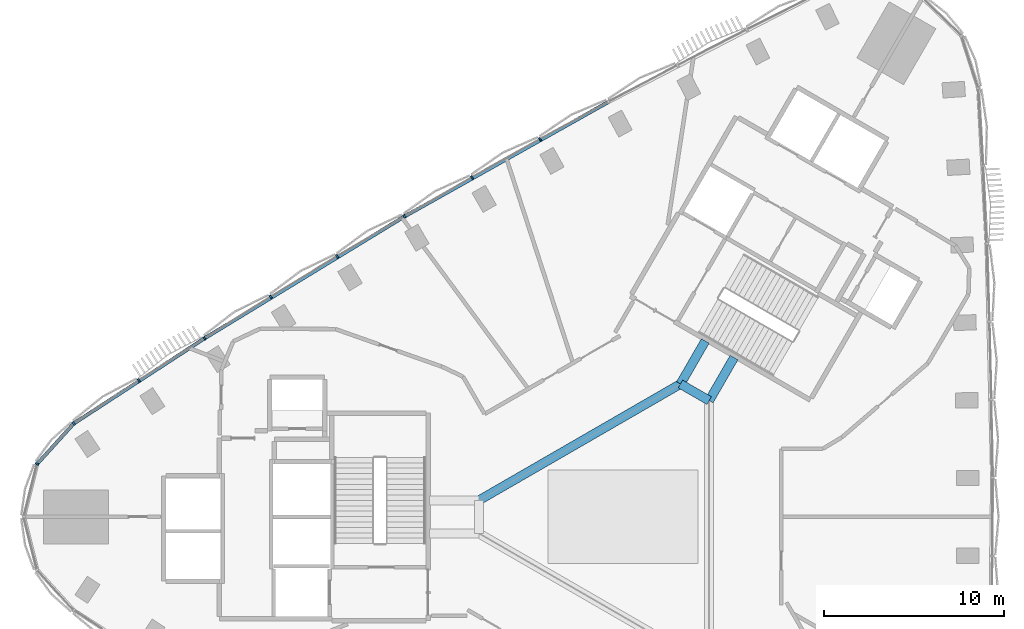
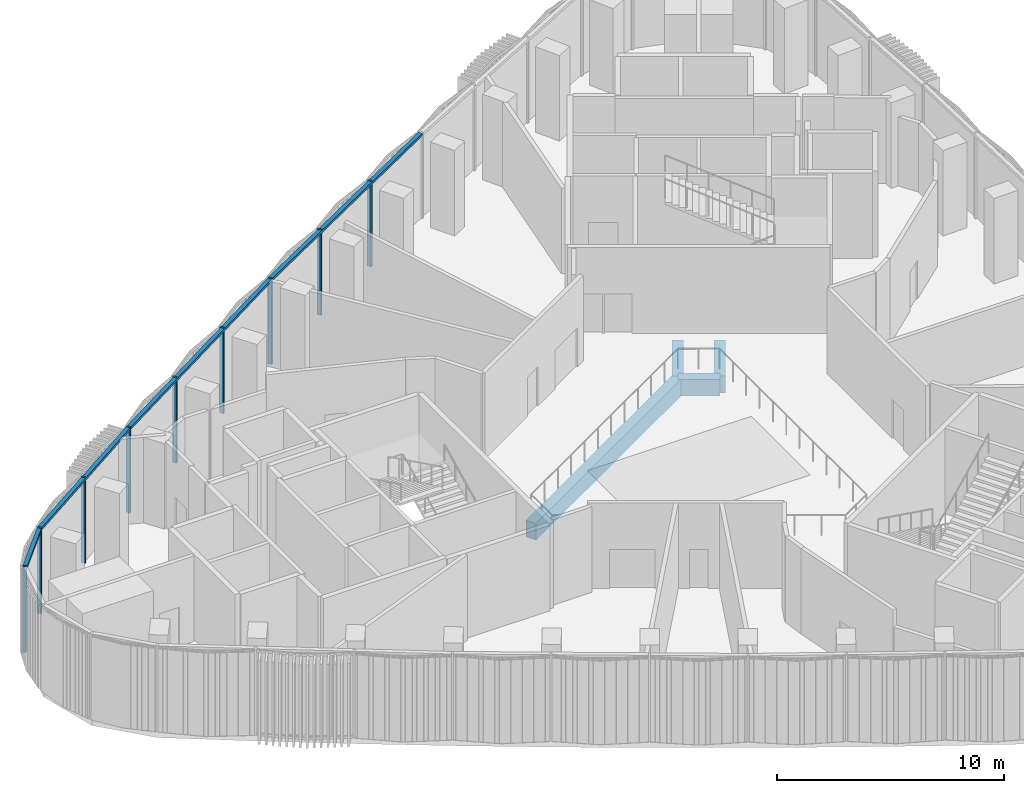
# One storey, part 4 of 17: 13 members, 4 beams, 1 element without a shape of its own.
"""IFC4 building model written with IfcOpenShell, lengths in metres."""

import ifcopenshell
import ifcopenshell.guid

model = None  # the IFC model being written
_history = None  # IfcOwnerHistory: only IFC2X3 demands one
_inside = {}  # id of a spatial element -> (the spatial element, [elements in it])
_under = {}  # id of a project, library or spatial element -> (it, [spatial elements below it])
_declared = {}  # id of a project -> (the project, [libraries it declares])
_typed = {}  # id of a type object -> (the type object, [elements of that type])
_made_of = {}  # id of a material, layer set ... -> (it, [elements and type objects made of it])


def new_model(schema):
    """Start an empty IFC model of exactly this schema.

    Asked for "IFC4X3", IfcOpenShell would pick the latest addendum, in which some entities
    have other attributes; the version numbers below select the first issue.
    IFC2X3 requires an IfcOwnerHistory on every rooted entity: one is made here for all.
    """
    global model, _history
    if schema == "IFC4X3":
        model = ifcopenshell.file(schema_version=(4, 3, 0, 0))
    else:
        model = ifcopenshell.file(schema=schema)
    _inside.clear()
    _under.clear()
    _declared.clear()
    _typed.clear()
    _made_of.clear()
    _history = None
    if model.schema == "IFC2X3":
        org = make("IfcOrganization", Name="unknown")
        user = make(
            "IfcPersonAndOrganization",
            ThePerson=make("IfcPerson", FamilyName="unknown"),
            TheOrganization=org,
        )
        app = make(
            "IfcApplication",
            ApplicationDeveloper=org,
            Version="unknown",
            ApplicationFullName="unknown",
            ApplicationIdentifier="unknown",
        )
        _history = make(
            "IfcOwnerHistory",
            OwningUser=user,
            OwningApplication=app,
            ChangeAction="ADDED",
            CreationDate=0,
        )
    return model


def make(cls, **values):
    """One entity of the class cls with the attributes given. An attribute that is None is left unset."""
    return model.create_entity(
        cls, **{name: value for name, value in values.items() if value is not None}
    )


def rooted(cls, **values):
    """An entity with a GlobalId (a new one), such as an element, a storey or a relation."""
    return make(cls, GlobalId=ifcopenshell.guid.new(), OwnerHistory=_history, **values)


def si_unit(unit_type, name, prefix=None):
    """IfcSIUnit, for example si_unit("LENGTHUNIT", "METRE", prefix="MILLI")."""
    return make("IfcSIUnit", UnitType=unit_type, Prefix=prefix, Name=name)


def assignment(units):
    """IfcUnitAssignment: the units of a project."""
    return None if units is None else make("IfcUnitAssignment", Units=units)


def point(xyz):
    """IfcCartesianPoint."""
    return None if xyz is None else make("IfcCartesianPoint", Coordinates=xyz)


def direction(xyz):
    """IfcDirection."""
    return None if xyz is None else make("IfcDirection", DirectionRatios=xyz)


def frame(location, z_axis=None, x_axis=None):
    """IfcAxis2Placement3D, a coordinate frame: its origin and axes. An axis left out is left unset."""
    return make(
        "IfcAxis2Placement3D",
        Location=point(location),
        Axis=direction(z_axis),
        RefDirection=direction(x_axis),
    )


def frame_2d(location, x_axis=None):
    """IfcAxis2Placement2D, a coordinate frame in the plane: its origin and x axis."""
    return make(
        "IfcAxis2Placement2D", Location=point(location), RefDirection=direction(x_axis)
    )


def origin():
    """The frame at (0, 0, 0) with its axes left unset."""
    return frame((0.0, 0.0, 0.0))


def origin_2d():
    """The frame at (0, 0) in the plane with its x axis left unset."""
    return frame_2d((0.0, 0.0))


def place(relative_to, where):
    """IfcLocalPlacement: puts the frame where relative to a parent placement (None: the world)."""
    return make(
        "IfcLocalPlacement", PlacementRelTo=relative_to, RelativePlacement=where
    )


def context(
    kind, dimensions, precision=None, world=None, true_north=None, identifier=None
):
    """IfcGeometricRepresentationContext, for example the 3D "Model" context."""
    return make(
        "IfcGeometricRepresentationContext",
        ContextIdentifier=identifier,
        ContextType=kind,
        CoordinateSpaceDimension=dimensions,
        Precision=precision,
        WorldCoordinateSystem=world,
        TrueNorth=true_north,
    )


def subcontext(parent, identifier, kind, view, scale=None):
    """IfcGeometricRepresentationSubContext, for example "Body" below "Model"."""
    return make(
        "IfcGeometricRepresentationSubContext",
        ContextIdentifier=identifier,
        ContextType=kind,
        ParentContext=parent,
        TargetScale=scale,
        TargetView=view,
    )


def project(units=None, contexts=None):
    """IfcProject with its units and contexts."""
    return rooted(
        "IfcProject",
        Name="project",
        RepresentationContexts=contexts,
        UnitsInContext=assignment(units),
    )


def spatial(cls, under=None, at=None, **own):
    """A site, building, storey or space (cls), placed at a placement, below another one or the project."""
    s = rooted(cls, ObjectPlacement=at, **own)
    if under is not None:
        _under.setdefault(under.id(), (under, []))[1].append(s)
    return s


def profile(cls, at=None, kind="AREA", **sizes):
    """A parametric profile (cls). Its sizes go by their IFC names, for example OverallWidth=200.0."""
    return make(cls, ProfileType=kind, Position=at, **sizes)


def rectangle(**sizes):
    """IfcRectangleProfileDef."""
    return profile("IfcRectangleProfileDef", **sizes)


def extrude(swept, where, along, depth):
    """IfcExtrudedAreaSolid: the profile swept, set in the frame where, extruded along a direction by depth."""
    return make(
        "IfcExtrudedAreaSolid",
        SweptArea=swept,
        Position=where,
        ExtrudedDirection=direction(along),
        Depth=depth,
    )


def shape(context_of_items, identifier, shape_type, items):
    """IfcShapeRepresentation: the items that make up one representation, for example the "Body"."""
    return make(
        "IfcShapeRepresentation",
        ContextOfItems=context_of_items,
        RepresentationIdentifier=identifier,
        RepresentationType=shape_type,
        Items=items,
    )


def material(Name=None, Category=None):
    """IfcMaterial."""
    return make("IfcMaterial", Name=Name, Category=Category)


def material_profile(
    of_material, cross_section, Name=None, Category=None, Priority=None
):
    """IfcMaterialProfile: a cross section and its material."""
    return make(
        "IfcMaterialProfile",
        Name=Name,
        Material=of_material,
        Profile=cross_section,
        Priority=Priority,
        Category=Category,
    )


def profile_set(profiles, Name=None, composite=None):
    """IfcMaterialProfileSet."""
    return make(
        "IfcMaterialProfileSet",
        Name=Name,
        MaterialProfiles=profiles,
        CompositeProfile=composite,
    )


def made_of(thing, what):
    """Note that an element or type object is made of a material, layer set ...; save() writes the relation."""
    if what is not None:
        _made_of.setdefault(what.id(), (what, []))[1].append(thing)
    return thing


def type_object(cls, material=None, **own):
    """A type object (cls), such as IfcWallType, which elements share."""
    return made_of(rooted(cls, **own), material)


def element(
    cls,
    number,
    at=None,
    inside=None,
    cuts=None,
    type_object=None,
    material=None,
    context=None,
    identifier="Body",
    shape_type=None,
    held_by="IfcProductDefinitionShape",
    body=None,
    shapes=None,
    **own,
):
    """One element of the class cls, such as IfcWall. Its Tag is "e" and its number.

    at: its placement. inside: the storey or other place that contains it. cuts: it is an
    opening in that element (IfcRelVoidsElement). A single representation is given by context,
    identifier, shape_type and body (its items); several are given by shapes. held_by: the class
    of the entity that holds the representations. save() writes the other relations.
    """
    e = rooted(cls, Tag="e%d" % number, ObjectPlacement=at, **own)
    if body is not None:
        shapes = [shape(context, identifier, shape_type, body)]
    if shapes is not None:
        e.Representation = make(held_by, Representations=shapes)
    if inside is not None:
        _inside.setdefault(inside.id(), (inside, []))[1].append(e)
    if cuts is not None:
        rooted(
            "IfcRelVoidsElement", RelatingBuildingElement=cuts, RelatedOpeningElement=e
        )
    if type_object is not None:
        _typed.setdefault(type_object.id(), (type_object, []))[1].append(e)
    return made_of(e, material)


def aggregate(whole, parts):
    """IfcRelAggregates: a whole, such as a stair, and the parts it consists of."""
    return rooted("IfcRelAggregates", RelatingObject=whole, RelatedObjects=parts)


def save(model, path):
    """Write the relations noted so far, then the file.

    IfcRelAggregates (storeys below a building ...), IfcRelContainedInSpatialStructure (elements
    in a storey), IfcRelDefinesByType, IfcRelAssociatesMaterial and IfcRelDeclares: one each for
    every whole, place, type object, material and project.
    """
    for whole, parts in _under.values():
        aggregate(whole, parts)
    for where, things in _inside.values():
        rooted(
            "IfcRelContainedInSpatialStructure",
            RelatedElements=things,
            RelatingStructure=where,
        )
    for kind, things in _typed.values():
        rooted("IfcRelDefinesByType", RelatedObjects=things, RelatingType=kind)
    for what, things in _made_of.values():
        rooted("IfcRelAssociatesMaterial", RelatedObjects=things, RelatingMaterial=what)
    for by, libraries in _declared.values():
        rooted("IfcRelDeclares", RelatingContext=by, RelatedDefinitions=libraries)
    model.write(path)


model = new_model("IFC4")

# Units and contexts
model_context = context("Model", 3, precision=1e-05, world=origin(), true_north=direction((0.0, 1.0)))
body_context = subcontext(model_context, "Body", "Model", "MODEL_VIEW")
ifc_project = project(units=[si_unit("LENGTHUNIT", "METRE"), si_unit("AREAUNIT", "SQUARE_METRE"), si_unit("VOLUMEUNIT", "CUBIC_METRE"), si_unit("PLANEANGLEUNIT", "RADIAN"), si_unit("MASSUNIT", "GRAM", prefix="KILO")], contexts=[model_context])

# Site, building, storey
site_placement = place(None, origin())
site = spatial("IfcSite", under=ifc_project, at=site_placement, CompositionType="ELEMENT")
building_placement = place(site_placement, origin())
building = spatial("IfcBuilding", under=site, at=building_placement, Name="Tamra Quay Hotel Tower", CompositionType="ELEMENT")
storey_placement = place(building_placement, frame((0.0, 0.0, 123.800048828125)))
storey = spatial("IfcBuildingStorey", under=building, at=storey_placement, Name="L30", CompositionType="ELEMENT", Elevation=123.800048828125)

# Beams
ifc_material_1 = material(Name="Concrete M60", Category="concrete")
ifc_material_profile_1 = material_profile(ifc_material_1, rectangle(XDim=0.5, YDim=0.89990234375, at=origin_2d()), Name="ATRIUM EDGE BEAM RC 500x900")
ifc_profile_set_1 = profile_set([ifc_material_profile_1], Name="Concrete M60")
beam_type_1 = type_object("IfcBeamType", Name="ATRIUM EDGE BEAM RC 500x900", PredefinedType="BEAM", material=ifc_profile_set_1)
beam_1_placement = place(storey_placement, frame((-8.0, 0.923828125, -0.85009765625), z_axis=(0.866024942741, 0.500000798549, 0.0), x_axis=(-0.500000798549, 0.866024942741, 0.0)))
element("IfcBeam", 1, at=beam_1_placement, inside=storey, type_object=beam_type_1, Name="BM-AB4-L30", PredefinedType="BEAM", context=body_context, shape_type="SweptSolid", body=[
    extrude(rectangle(XDim=0.5, YDim=0.89990234375, at=origin_2d()), origin(), (0.0, 0.0, 1.0), 12.9326171875),
])
beam_2_placement = place(storey_placement, frame((3.199951171875, 7.39013671875, -0.85009765625), z_axis=(0.86602275259, -0.500004591975, 0.0), x_axis=(0.500004591975, 0.86602275259, 0.0)))
element("IfcBeam", 2, at=beam_2_placement, inside=storey, type_object=beam_type_1, Name="BM-AB5-L30", PredefinedType="BEAM", context=body_context, shape_type="SweptSolid", body=[
    extrude(rectangle(XDim=0.5, YDim=0.89990234375, at=origin_2d()), origin(), (0.0, 0.0, 1.0), 1.84765625),
])
ifc_material_profile_2 = material_profile(ifc_material_1, rectangle(XDim=0.5, YDim=0.89990234375, at=origin_2d()), Name="ATRIUM TIE BEAM RC 500x900")
ifc_profile_set_2 = profile_set([ifc_material_profile_2], Name="Concrete M60")
beam_type_2 = type_object("IfcBeamType", Name="ATRIUM TIE BEAM RC 500x900", PredefinedType="BEAM", material=ifc_profile_set_2)
for number, where, z_axis, x_axis, name in (
    (3, (4.800048828125, 6.46630859375, -0.85009765625), (0.500008091576, 0.86602073206, 0.0), (-0.86602073206, 0.500008091576, 0.0), "BM-TIE-0-L30"),
    (4, (3.199951171875, 7.39013671875, -0.85009765625), (0.500008091576, 0.86602073206, 0.0), (-0.86602073206, 0.500008091576, 0.0), "BM-TIE-5-L30"),
):
    element("IfcBeam", number, at=place(storey_placement, frame(where, z_axis=z_axis, x_axis=x_axis)), inside=storey, type_object=beam_type_2, Name=name, PredefinedType="BEAM", context=body_context, shape_type="SweptSolid", body=[
        extrude(rectangle(XDim=0.5, YDim=0.89990234375, at=origin_2d()), origin(), (0.0, 0.0, 1.0), 2.76220703125),
    ])

# Curtain wall, members
ifc_material_2 = material(Name="Aluminium 6063 anodised dark grey", Category="aluminium")
curtain_wall_type = type_object("IfcCurtainWallType", Name="CW2 CURTAIN WALL", PredefinedType="NOTDEFINED", material=ifc_material_2)
curtain_wall_placement = place(storey_placement, origin())
curtain_wall = element("IfcCurtainWall", 5, at=curtain_wall_placement, inside=storey, type_object=curtain_wall_type, Name="CW2 north-west face L30", PredefinedType="NOTDEFINED")
ifc_material_profile_3 = material_profile(ifc_material_2, rectangle(XDim=0.199951171875, YDim=0.10009765625, at=origin_2d()), Name="MULLION 100X200")
ifc_profile_set_3 = profile_set([ifc_material_profile_3], Name="Aluminium 6063 anodised dark grey")
member_type_1 = type_object("IfcMemberType", Name="MULLION CW2 Z3", PredefinedType="MULLION", material=ifc_profile_set_3)
member_1_placement = place(storey_placement, frame((-4.61083984375, 21.002197265625, 0.0), z_axis=(0.0, 0.0, 1.0), x_axis=(-0.484394404224, 0.87484973633, 0.0)))
member_1 = element("IfcMember", 6, at=member_1_placement, type_object=member_type_1, Name="CW2 mullion L30.NW.5", PredefinedType="MULLION", context=body_context, shape_type="SweptSolid", body=[
    extrude(rectangle(XDim=0.199951171875, YDim=0.10009765625, at=origin_2d()), origin(), (0.0, 0.0, 1.0), 4.599853515625),
])
member_2_placement = place(storey_placement, frame((-8.39404296875, 18.8779296875, 0.0), z_axis=(0.0, 0.0, 1.0), x_axis=(-0.494813402364, 0.868999250196, 0.0)))
member_2 = element("IfcMember", 7, at=member_2_placement, type_object=member_type_1, Name="CW2 mullion L30.NW.6", PredefinedType="MULLION", context=body_context, shape_type="SweptSolid", body=[
    extrude(rectangle(XDim=0.199951171875, YDim=0.10009765625, at=origin_2d()), origin(), (0.0, 0.0, 1.0), 4.599853515625),
])
member_3_placement = place(storey_placement, frame((-12.15185546875, 16.708251953125, 0.0), z_axis=(0.0, 0.0, 1.0), x_axis=(-0.505168725357, 0.863020601678, 0.0)))
member_3 = element("IfcMember", 8, at=member_3_placement, type_object=member_type_1, Name="CW2 mullion L30.NW.7", PredefinedType="MULLION", context=body_context, shape_type="SweptSolid", body=[
    extrude(rectangle(XDim=0.199951171875, YDim=0.10009765625, at=origin_2d()), origin(), (0.0, 0.0, 1.0), 4.599853515625),
])
member_4_placement = place(storey_placement, frame((-15.883056640625, 14.494384765625, 0.0), z_axis=(0.0, 0.0, 1.0), x_axis=(-0.515444894044, 0.856922727674, 0.0)))
member_4 = element("IfcMember", 9, at=member_4_placement, type_object=member_type_1, Name="CW2 mullion L30.NW.8", PredefinedType="MULLION", context=body_context, shape_type="SweptSolid", body=[
    extrude(rectangle(XDim=0.199951171875, YDim=0.10009765625, at=origin_2d()), origin(), (0.0, 0.0, 1.0), 4.599853515625),
])
member_5_placement = place(storey_placement, frame((-19.587890625, 12.2353515625, 0.0), z_axis=(0.0, 0.0, 1.0), x_axis=(-0.525645983423, 0.850703414893, 0.0)))
member_5 = element("IfcMember", 10, at=member_5_placement, type_object=member_type_1, Name="CW2 mullion L30.NW.9", PredefinedType="MULLION", context=body_context, shape_type="SweptSolid", body=[
    extrude(rectangle(XDim=0.199951171875, YDim=0.10009765625, at=origin_2d()), origin(), (0.0, 0.0, 1.0), 4.599853515625),
])
member_6_placement = place(storey_placement, frame((-23.265625, 9.9326171875, 0.0), z_axis=(0.0, 0.0, 1.0), x_axis=(-0.535760008646, 0.844370305693, 0.0)))
member_6 = element("IfcMember", 11, at=member_6_placement, type_object=member_type_1, Name="CW2 mullion L30.NW.10", PredefinedType="MULLION", context=body_context, shape_type="SweptSolid", body=[
    extrude(rectangle(XDim=0.199951171875, YDim=0.10009765625, at=origin_2d()), origin(), (0.0, 0.0, 1.0), 4.599853515625),
])
member_7_placement = place(storey_placement, frame((-26.9150390625, 7.58642578125, 0.0), z_axis=(0.0, 0.0, 1.0), x_axis=(-0.545780307882, 0.837928311688, 0.0)))
member_7 = element("IfcMember", 12, at=member_7_placement, type_object=member_type_1, Name="CW2 mullion L30.NW.11", PredefinedType="MULLION", context=body_context, shape_type="SweptSolid", body=[
    extrude(rectangle(XDim=0.199951171875, YDim=0.10009765625, at=origin_2d()), origin(), (0.0, 0.0, 1.0), 4.599853515625),
])
member_8_placement = place(storey_placement, frame((-30.53662109375, 5.196533203125, 0.0), z_axis=(0.0, 0.0, 1.0), x_axis=(-0.6509893497, 0.759086863657, 0.0)))
member_8 = element("IfcMember", 13, at=member_8_placement, type_object=member_type_1, Name="CW2 mullion L30.NW.12", PredefinedType="MULLION", context=body_context, shape_type="SweptSolid", body=[
    extrude(rectangle(XDim=0.199951171875, YDim=0.10009765625, at=origin_2d()), origin(), (0.0, 0.0, 1.0), 4.599853515625),
])
member_9_placement = place(storey_placement, frame((-32.576171875, 2.9462890625, 0.0), z_axis=(0.0, 0.0, 1.0), x_axis=(-0.881925145425, 0.47138947577, 0.0)))
member_9 = element("IfcMember", 14, at=member_9_placement, type_object=member_type_1, Name="CW2 mullion L30.NW.13", PredefinedType="MULLION", context=body_context, shape_type="SweptSolid", body=[
    extrude(rectangle(XDim=0.199951171875, YDim=0.10009765625, at=origin_2d()), origin(), (0.0, 0.0, 1.0), 4.599853515625),
])
ifc_material_profile_4 = material_profile(ifc_material_2, rectangle(XDim=0.199951171875, YDim=0.139892578125, at=origin_2d()), Name="TRANSOM 200X140")
ifc_profile_set_4 = profile_set([ifc_material_profile_4], Name="Aluminium 6063 anodised dark grey")
member_type_2 = type_object("IfcMemberType", Name="TRANSOM CW2 Z3", PredefinedType="USERDEFINED", material=ifc_profile_set_4)
member_10_placement = place(storey_placement, frame((-0.84619140625, 23.057373046875, 4.530029296875), z_axis=(-0.871944289818, -0.48960510154, 0.0), x_axis=(0.48960510154, -0.871944289818, 0.0)))
member_10 = element("IfcMember", 15, at=member_10_placement, type_object=member_type_2, Name="CW2 transom L30.NW.4", ObjectType="TRANSOM", PredefinedType="USERDEFINED", context=body_context, shape_type="SweptSolid", body=[
    extrude(rectangle(XDim=0.199951171875, YDim=0.139892578125, at=origin_2d()), origin(), (0.0, 0.0, 1.0), 12.91650390625),
])
member_11_placement = place(storey_placement, frame((-12.19482421875, 16.682861328125, 4.530029296875), z_axis=(-0.853825681995, -0.52055903101, 0.0), x_axis=(0.52055903101, -0.853825681995, 0.0)))
member_11 = element("IfcMember", 16, at=member_11_placement, type_object=member_type_2, Name="CW2 transom L30.NW.7", ObjectType="TRANSOM", PredefinedType="USERDEFINED", context=body_context, shape_type="SweptSolid", body=[
    extrude(rectangle(XDim=0.199951171875, YDim=0.139892578125, at=origin_2d()), origin(), (0.0, 0.0, 1.0), 12.916748046875),
])
member_12_placement = place(storey_placement, frame((-23.3076171875, 9.905517578125, 4.530029296875), z_axis=(-0.837927552154, -0.545781473982, 0.0), x_axis=(0.545781473982, -0.837927552154, 0.0)))
member_12 = element("IfcMember", 17, at=member_12_placement, type_object=member_type_2, Name="CW2 transom L30.NW.10", ObjectType="TRANSOM", PredefinedType="USERDEFINED", context=body_context, shape_type="SweptSolid", body=[
    extrude(rectangle(XDim=0.199951171875, YDim=0.139892578125, at=origin_2d()), origin(), (0.0, 0.0, 1.0), 8.577392578125),
])
member_13_placement = place(storey_placement, frame((-30.570068359375, 5.15966796875, 4.530029296875), z_axis=(-0.671555075759, -0.740954641137, 0.0), x_axis=(0.740954641137, -0.671555075759, 0.0)))
member_13 = element("IfcMember", 18, at=member_13_placement, type_object=member_type_2, Name="CW2 transom L30.NW.12", ObjectType="TRANSOM", PredefinedType="USERDEFINED", context=body_context, shape_type="SweptSolid", body=[
    extrude(rectangle(XDim=0.199951171875, YDim=0.139892578125, at=origin_2d()), origin(), (0.0, 0.0, 1.0), 2.9375),
])
aggregate(curtain_wall, [member_10, member_1, member_2, member_3, member_11, member_4, member_5, member_6, member_12, member_7, member_8, member_13, member_9])

save(model, "model.ifc")
